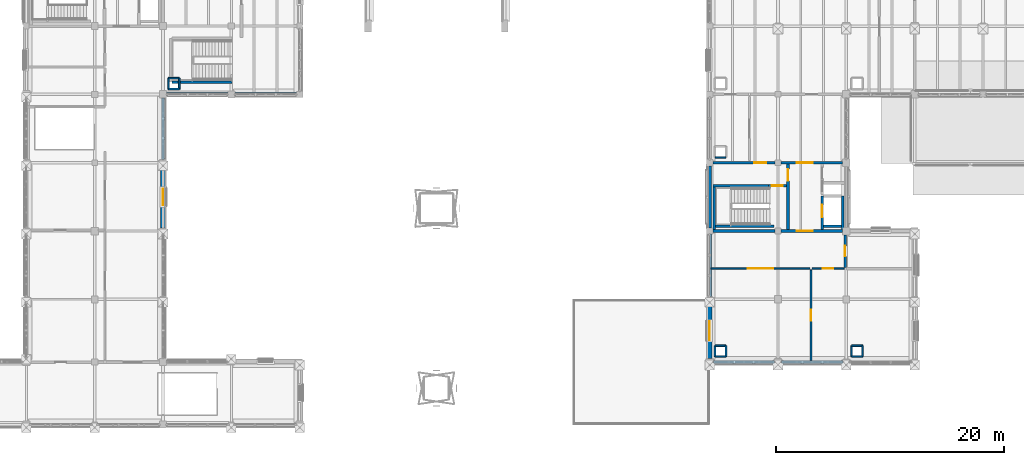
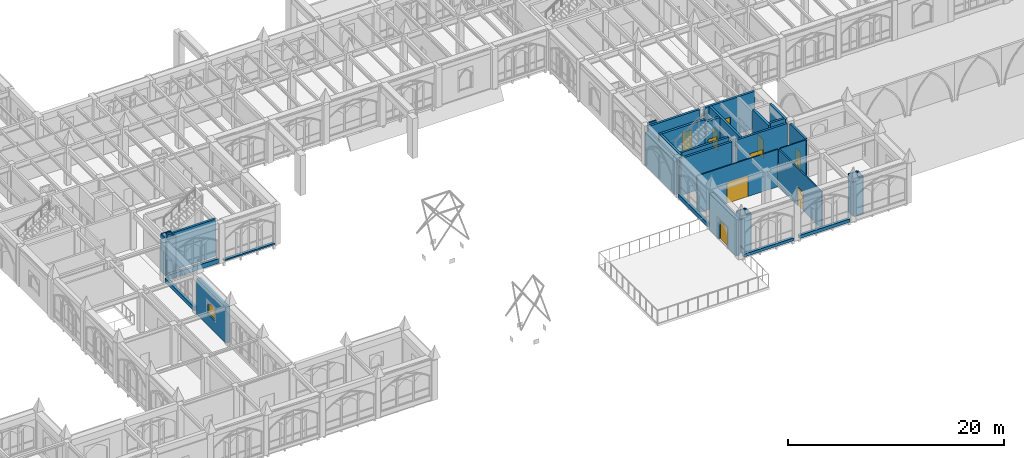
# One storey, part 106 of 143: 39 walls, 11 doors, 1 window, 12 openings.
"""IFC4 building model written with IfcOpenShell, lengths in metres."""

import ifcopenshell
import ifcopenshell.guid

model = None  # the IFC model being written
_history = None  # IfcOwnerHistory: only IFC2X3 demands one
_inside = {}  # id of a spatial element -> (the spatial element, [elements in it])
_under = {}  # id of a project, library or spatial element -> (it, [spatial elements below it])
_declared = {}  # id of a project -> (the project, [libraries it declares])
_typed = {}  # id of a type object -> (the type object, [elements of that type])
_made_of = {}  # id of a material, layer set ... -> (it, [elements and type objects made of it])


def new_model(schema):
    """Start an empty IFC model of exactly this schema.

    Asked for "IFC4X3", IfcOpenShell would pick the latest addendum, in which some entities
    have other attributes; the version numbers below select the first issue.
    IFC2X3 requires an IfcOwnerHistory on every rooted entity: one is made here for all.
    """
    global model, _history
    if schema == "IFC4X3":
        model = ifcopenshell.file(schema_version=(4, 3, 0, 0))
    else:
        model = ifcopenshell.file(schema=schema)
    _inside.clear()
    _under.clear()
    _declared.clear()
    _typed.clear()
    _made_of.clear()
    _history = None
    if model.schema == "IFC2X3":
        org = make("IfcOrganization", Name="unknown")
        user = make(
            "IfcPersonAndOrganization",
            ThePerson=make("IfcPerson", FamilyName="unknown"),
            TheOrganization=org,
        )
        app = make(
            "IfcApplication",
            ApplicationDeveloper=org,
            Version="unknown",
            ApplicationFullName="unknown",
            ApplicationIdentifier="unknown",
        )
        _history = make(
            "IfcOwnerHistory",
            OwningUser=user,
            OwningApplication=app,
            ChangeAction="ADDED",
            CreationDate=0,
        )
    return model


def make(cls, **values):
    """One entity of the class cls with the attributes given. An attribute that is None is left unset."""
    return model.create_entity(
        cls, **{name: value for name, value in values.items() if value is not None}
    )


def rooted(cls, **values):
    """An entity with a GlobalId (a new one), such as an element, a storey or a relation."""
    return make(cls, GlobalId=ifcopenshell.guid.new(), OwnerHistory=_history, **values)


def si_unit(unit_type, name, prefix=None):
    """IfcSIUnit, for example si_unit("LENGTHUNIT", "METRE", prefix="MILLI")."""
    return make("IfcSIUnit", UnitType=unit_type, Prefix=prefix, Name=name)


def assignment(units):
    """IfcUnitAssignment: the units of a project."""
    return None if units is None else make("IfcUnitAssignment", Units=units)


def point(xyz):
    """IfcCartesianPoint."""
    return None if xyz is None else make("IfcCartesianPoint", Coordinates=xyz)


def direction(xyz):
    """IfcDirection."""
    return None if xyz is None else make("IfcDirection", DirectionRatios=xyz)


def frame(location, z_axis=None, x_axis=None):
    """IfcAxis2Placement3D, a coordinate frame: its origin and axes. An axis left out is left unset."""
    return make(
        "IfcAxis2Placement3D",
        Location=point(location),
        Axis=direction(z_axis),
        RefDirection=direction(x_axis),
    )


def frame_2d(location, x_axis=None):
    """IfcAxis2Placement2D, a coordinate frame in the plane: its origin and x axis."""
    return make(
        "IfcAxis2Placement2D", Location=point(location), RefDirection=direction(x_axis)
    )


def origin():
    """The frame at (0, 0, 0) with its axes left unset."""
    return frame((0.0, 0.0, 0.0))


def place(relative_to, where):
    """IfcLocalPlacement: puts the frame where relative to a parent placement (None: the world)."""
    return make(
        "IfcLocalPlacement", PlacementRelTo=relative_to, RelativePlacement=where
    )


def context(
    kind, dimensions, precision=None, world=None, true_north=None, identifier=None
):
    """IfcGeometricRepresentationContext, for example the 3D "Model" context."""
    return make(
        "IfcGeometricRepresentationContext",
        ContextIdentifier=identifier,
        ContextType=kind,
        CoordinateSpaceDimension=dimensions,
        Precision=precision,
        WorldCoordinateSystem=world,
        TrueNorth=true_north,
    )


def subcontext(parent, identifier, kind, view, scale=None):
    """IfcGeometricRepresentationSubContext, for example "Body" below "Model"."""
    return make(
        "IfcGeometricRepresentationSubContext",
        ContextIdentifier=identifier,
        ContextType=kind,
        ParentContext=parent,
        TargetScale=scale,
        TargetView=view,
    )


def project(units=None, contexts=None):
    """IfcProject with its units and contexts."""
    return rooted(
        "IfcProject",
        Name="project",
        RepresentationContexts=contexts,
        UnitsInContext=assignment(units),
    )


def spatial(cls, under=None, at=None, **own):
    """A site, building, storey or space (cls), placed at a placement, below another one or the project."""
    s = rooted(cls, ObjectPlacement=at, **own)
    if under is not None:
        _under.setdefault(under.id(), (under, []))[1].append(s)
    return s


def profile(cls, at=None, kind="AREA", **sizes):
    """A parametric profile (cls). Its sizes go by their IFC names, for example OverallWidth=200.0."""
    return make(cls, ProfileType=kind, Position=at, **sizes)


def rectangle(**sizes):
    """IfcRectangleProfileDef."""
    return profile("IfcRectangleProfileDef", **sizes)


def extrude(swept, where, along, depth):
    """IfcExtrudedAreaSolid: the profile swept, set in the frame where, extruded along a direction by depth."""
    return make(
        "IfcExtrudedAreaSolid",
        SweptArea=swept,
        Position=where,
        ExtrudedDirection=direction(along),
        Depth=depth,
    )


def shape(context_of_items, identifier, shape_type, items):
    """IfcShapeRepresentation: the items that make up one representation, for example the "Body"."""
    return make(
        "IfcShapeRepresentation",
        ContextOfItems=context_of_items,
        RepresentationIdentifier=identifier,
        RepresentationType=shape_type,
        Items=items,
    )


def material(Name=None, Category=None):
    """IfcMaterial."""
    return make("IfcMaterial", Name=Name, Category=Category)


def layer(
    of_material, thickness, ventilated=None, Name=None, Category=None, Priority=None
):
    """IfcMaterialLayer: one layer of a wall or slab, of a material (None: an air gap)."""
    return make(
        "IfcMaterialLayer",
        Material=of_material,
        LayerThickness=thickness,
        IsVentilated=ventilated,
        Name=Name,
        Category=Category,
        Priority=Priority,
    )


def layer_set(layers, Name=None):
    """IfcMaterialLayerSet."""
    return make("IfcMaterialLayerSet", MaterialLayers=layers, LayerSetName=Name)


def made_of(thing, what):
    """Note that an element or type object is made of a material, layer set ...; save() writes the relation."""
    if what is not None:
        _made_of.setdefault(what.id(), (what, []))[1].append(thing)
    return thing


def type_object(cls, material=None, **own):
    """A type object (cls), such as IfcWallType, which elements share."""
    return made_of(rooted(cls, **own), material)


def element(
    cls,
    number,
    at=None,
    inside=None,
    cuts=None,
    type_object=None,
    material=None,
    context=None,
    identifier="Body",
    shape_type=None,
    held_by="IfcProductDefinitionShape",
    body=None,
    shapes=None,
    **own,
):
    """One element of the class cls, such as IfcWall. Its Tag is "e" and its number.

    at: its placement. inside: the storey or other place that contains it. cuts: it is an
    opening in that element (IfcRelVoidsElement). A single representation is given by context,
    identifier, shape_type and body (its items); several are given by shapes. held_by: the class
    of the entity that holds the representations. save() writes the other relations.
    """
    e = rooted(cls, Tag="e%d" % number, ObjectPlacement=at, **own)
    if body is not None:
        shapes = [shape(context, identifier, shape_type, body)]
    if shapes is not None:
        e.Representation = make(held_by, Representations=shapes)
    if inside is not None:
        _inside.setdefault(inside.id(), (inside, []))[1].append(e)
    if cuts is not None:
        rooted(
            "IfcRelVoidsElement", RelatingBuildingElement=cuts, RelatedOpeningElement=e
        )
    if type_object is not None:
        _typed.setdefault(type_object.id(), (type_object, []))[1].append(e)
    return made_of(e, material)


def fill(opening, filler):
    """IfcRelFillsElement: the door or window that sits in an opening."""
    return rooted(
        "IfcRelFillsElement",
        RelatingOpeningElement=opening,
        RelatedBuildingElement=filler,
    )


def aggregate(whole, parts):
    """IfcRelAggregates: a whole, such as a stair, and the parts it consists of."""
    return rooted("IfcRelAggregates", RelatingObject=whole, RelatedObjects=parts)


def save(model, path):
    """Write the relations noted so far, then the file.

    IfcRelAggregates (storeys below a building ...), IfcRelContainedInSpatialStructure (elements
    in a storey), IfcRelDefinesByType, IfcRelAssociatesMaterial and IfcRelDeclares: one each for
    every whole, place, type object, material and project.
    """
    for whole, parts in _under.values():
        aggregate(whole, parts)
    for where, things in _inside.values():
        rooted(
            "IfcRelContainedInSpatialStructure",
            RelatedElements=things,
            RelatingStructure=where,
        )
    for kind, things in _typed.values():
        rooted("IfcRelDefinesByType", RelatedObjects=things, RelatingType=kind)
    for what, things in _made_of.values():
        rooted("IfcRelAssociatesMaterial", RelatedObjects=things, RelatingMaterial=what)
    for by, libraries in _declared.values():
        rooted("IfcRelDeclares", RelatingContext=by, RelatedDefinitions=libraries)
    model.write(path)


model = new_model("IFC4")

# Units and contexts
model_context = context("Model", 3, precision=1e-05, world=origin(), true_north=direction((0.0, 1.0)))
body_context = subcontext(model_context, "Body", "Model", "MODEL_VIEW")
ifc_project = project(units=[si_unit("LENGTHUNIT", "METRE"), si_unit("AREAUNIT", "SQUARE_METRE"), si_unit("VOLUMEUNIT", "CUBIC_METRE"), si_unit("PLANEANGLEUNIT", "RADIAN"), si_unit("MASSUNIT", "GRAM", prefix="KILO")], contexts=[model_context])

# Site, building, storey
site_placement = place(None, origin())
site = spatial("IfcSite", under=ifc_project, at=site_placement, CompositionType="ELEMENT")
building_placement = place(site_placement, origin())
building = spatial("IfcBuilding", under=site, at=building_placement, Name="Cumevento Cable Car Station", CompositionType="ELEMENT")
storey_placement = place(building_placement, frame((0.0, 0.0, 9.0)))
storey = spatial("IfcBuildingStorey", under=building, at=storey_placement, Name="L03", CompositionType="ELEMENT", Elevation=9.0)

# Walls
ifc_material_1 = material(Name="Gnaisse Facoidal Stone Ashlar 85 MPa", Category="masonry")
ifc_layer_1 = layer(ifc_material_1, 0.294921875)
ifc_layer_set_1 = layer_set([ifc_layer_1], Name="Gnaisse Facoidal Stone Ashlar 85 MPa")
wall_type_1 = type_object("IfcWallType", Name="Exterior Envelope Wall EW-295 295", PredefinedType="SOLIDWALL", material=ifc_layer_set_1)
wall_1_placement = place(storey_placement, frame((70.0, 32.675048828125, 0.0), z_axis=(0.0, 0.0, 1.0), x_axis=(0.0, -1.0, 0.0)))
element("IfcWall", 1, at=wall_1_placement, inside=storey, type_object=wall_type_1, Name="Exterior Sill Curb Wall EW-295 L03 #208", PredefinedType="SOLIDWALL", context=body_context, shape_type="SweptSolid", body=[
    extrude(rectangle(XDim=5.375, YDim=0.294921875, at=frame_2d((2.6875, 0.0))), origin(), (0.0, 0.0, 1.0), 0.4599609375),
])
wall_2_placement = place(storey_placement, frame((75.699951171875, 33.0, 0.0), z_axis=(0.0, 0.0, 1.0), x_axis=(-1.0, 0.0, 0.0)))
element("IfcWall", 2, at=wall_2_placement, inside=storey, type_object=wall_type_1, Name="Exterior Sill Curb Wall EW-295 L03 #211", PredefinedType="SOLIDWALL", context=body_context, shape_type="SweptSolid", body=[
    extrude(rectangle(XDim=5.375, YDim=0.294921875, at=frame_2d((2.6875, 0.0))), origin(), (0.0, 0.0, 1.0), 0.52001953125),
])
wall_3_placement = place(storey_placement, frame((81.72509765625, 33.0, 0.0), z_axis=(0.0, 0.0, 1.0), x_axis=(-1.0, 0.0, 0.0)))
element("IfcWall", 3, at=wall_3_placement, inside=storey, type_object=wall_type_1, Name="Exterior Sill Curb Wall EW-295 L03 #212", PredefinedType="SOLIDWALL", context=body_context, shape_type="SweptSolid", body=[
    extrude(rectangle(XDim=5.425048828125, YDim=0.294921875, at=frame_2d((2.71240234375, 0.0))), origin(), (0.0, 0.0, 1.0), 0.159912109375),
])
wall_4_placement = place(storey_placement, frame((123.699951171875, 9.5, 0.0), z_axis=(0.0, 0.0, 1.0), x_axis=(-1.0, 0.0, 0.0)))
element("IfcWall", 4, at=wall_4_placement, inside=storey, type_object=wall_type_1, Name="Exterior Sill Curb Wall EW-295 L03 #264", PredefinedType="SOLIDWALL", context=body_context, shape_type="SweptSolid", body=[
    extrude(rectangle(XDim=5.375, YDim=0.294921875, at=frame_2d((2.6875, 0.0))), origin(), (0.0, 0.0, 1.0), 0.31005859375),
])
wall_5_placement = place(storey_placement, frame((129.72509765625, 9.5, 0.0), z_axis=(0.0, 0.0, 1.0), x_axis=(-1.0, 0.0, 0.0)))
element("IfcWall", 5, at=wall_5_placement, inside=storey, type_object=wall_type_1, Name="Exterior Sill Curb Wall EW-295 L03 #265", PredefinedType="SOLIDWALL", context=body_context, shape_type="SweptSolid", body=[
    extrude(rectangle(XDim=5.425048828125, YDim=0.294921875, at=frame_2d((2.71240234375, 0.0))), origin(), (0.0, 0.0, 1.0), 0.360107421875),
])
wall_6_placement = place(storey_placement, frame((118.0, 15.25, 0.0), z_axis=(0.0, 0.0, 1.0), x_axis=(0.0, 1.0, 0.0)))
element("IfcWall", 6, at=wall_6_placement, inside=storey, type_object=wall_type_1, Name="Exterior Sill Curb Wall EW-295 L03 #270", PredefinedType="SOLIDWALL", context=body_context, shape_type="SweptSolid", body=[
    extrude(rectangle(XDim=5.47509765625, YDim=0.294921875, at=frame_2d((2.737548828125, 0.0))), origin(), (0.0, 0.0, 1.0), 0.4599609375),
])
ifc_material_2 = material(Name="Concrete C40/50", Category="concrete")
ifc_layer_2 = layer(ifc_material_2, 0.35498046875)
ifc_layer_set_2 = layer_set([ifc_layer_2], Name="Concrete C40/50")
wall_type_2 = type_object("IfcWallType", Name="Exterior Envelope Wall EW-355 355", PredefinedType="SOLIDWALL", material=ifc_layer_set_2)
wall_7_placement = place(storey_placement, frame((118.0, 21.27490234375, 0.0), z_axis=(0.0, 0.0, 1.0), x_axis=(0.0, 1.0, 0.0)))
element("IfcWall", 7, at=wall_7_placement, inside=storey, type_object=wall_type_2, Name="Exterior Wall EW-355 L03 #272", PredefinedType="SOLIDWALL", context=body_context, shape_type="SweptSolid", body=[
    extrude(rectangle(XDim=5.4501953125, YDim=0.35498046875, at=frame_2d((2.72509765625, 0.0))), origin(), (0.0, 0.0, 1.0), 3.778076171875),
])

# Wall, opening, door
ifc_material_3 = material(Name="Gnaisse Facoidal Stone Ashlar 85 MPa", Category="masonry")
ifc_layer_3 = layer(ifc_material_3, 0.385009765625)
ifc_layer_set_3 = layer_set([ifc_layer_3], Name="Gnaisse Facoidal Stone Ashlar 85 MPa")
wall_type_3 = type_object("IfcWallType", Name="Exterior Envelope Wall EW-385 385", PredefinedType="SOLIDWALL", material=ifc_layer_set_3)
wall_8_placement = place(storey_placement, frame((118.0, 9.824951171875, 0.0), z_axis=(0.0, 0.0, 1.0), x_axis=(0.0, 1.0, 0.0)))
wall_8 = element("IfcWall", 8, at=wall_8_placement, inside=storey, type_object=wall_type_3, Name="Exterior Wall EW-385 L03 #268", PredefinedType="SOLIDWALL", context=body_context, shape_type="SweptSolid", body=[
    extrude(rectangle(XDim=4.925048828125, YDim=0.385009765625, at=frame_2d((2.46240234375, 0.0))), origin(), (0.0, 0.0, 1.0), 4.14599609375),
])
opening_1_placement = place(wall_8_placement, frame((1.60498046875, 0.0, 0.0)))
opening_1 = element("IfcOpeningElement", 9, at=opening_1_placement, cuts=wall_8, Name="Opening DR-L03-T05", PredefinedType="OPENING", context=body_context, shape_type="SweptSolid", body=[
    extrude(rectangle(XDim=1.639892578125, YDim=2.219970703125, at=frame_2d((0.81982421875, 1.10986328125))), frame((0.0, 0.202392578125, 0.0), z_axis=(0.0, -1.0, 0.0), x_axis=(1.0, 0.0, 0.0)), (0.0, 0.0, 1.0), 0.405029296875),
])
ifc_material_4 = material(Name="Anodised Bronze Aluminium & Laminated Glass", Category="aluminium")
door_type_1 = type_object("IfcDoorType", Name="Exterior Door ED-05 1640x2220", OperationType="NOTDEFINED", PredefinedType="DOOR", material=ifc_material_4)
door_1_placement = place(opening_1_placement, origin())
door_1 = element("IfcDoor", 10, at=door_1_placement, inside=storey, type_object=door_type_1, Name="East Cloister Belvedere Door T5", OperationType="DOUBLE_DOOR_SINGLE_SWING", OverallHeight=2.219970703125, OverallWidth=1.639892578125, PredefinedType="DOOR", context=body_context, shape_type="SweptSolid", body=[
    extrude(rectangle(XDim=1.639892578125, YDim=2.219970703125, at=frame_2d((0.81982421875, 1.10986328125))), frame((0.0, 0.02490234375, 0.0), z_axis=(0.0, -1.0, 0.0), x_axis=(1.0, 0.0, 0.0)), (0.0, 0.0, 1.0), 0.050048828125),
])
fill(opening_1, door_1)

# Wall, opening, window
ifc_material_5 = material(Name="Gnaisse Facoidal Stone Ashlar 85 MPa", Category="masonry")
ifc_layer_4 = layer(ifc_material_5, 0.429931640625)
ifc_layer_set_4 = layer_set([ifc_layer_4], Name="Gnaisse Facoidal Stone Ashlar 85 MPa")
wall_type_4 = type_object("IfcWallType", Name="Exterior Envelope Wall EW-430 430", PredefinedType="SOLIDWALL", material=ifc_layer_set_4)
wall_9_placement = place(storey_placement, frame((70.0, 26.699951171875, 0.0), z_axis=(0.0, 0.0, 1.0), x_axis=(0.0, -1.0, 0.0)))
wall_9 = element("IfcWall", 11, at=wall_9_placement, inside=storey, type_object=wall_type_4, Name="Exterior Wall EW-430 L03 #206", PredefinedType="SOLIDWALL", context=body_context, shape_type="SweptSolid", body=[
    extrude(rectangle(XDim=5.425048828125, YDim=0.429931640625, at=frame_2d((2.71240234375, 0.0))), origin(), (0.0, 0.0, 1.0), 4.093017578125),
])
opening_2_placement = place(wall_9_placement, frame((1.987548828125, 0.0, 1.300048828125)))
opening_2 = element("IfcOpeningElement", 12, at=opening_2_placement, cuts=wall_9, Name="Opening WN-L03-068", PredefinedType="OPENING", context=body_context, shape_type="SweptSolid", body=[
    extrude(rectangle(XDim=1.449951171875, YDim=1.449951171875, at=frame_2d((0.72509765625, 0.72509765625))), frame((0.0, 0.224853515625, 0.0), z_axis=(0.0, -1.0, 0.0), x_axis=(1.0, 0.0, 0.0)), (0.0, 0.0, 1.0), 0.449951171875),
])
ifc_material_6 = material(Name="Anodised Bronze Aluminium & Laminated Solar Glass", Category="aluminium")
window_type = type_object("IfcWindowType", Name="Lancet Window WN-20 1450x1450", PartitioningType="SINGLE_PANEL", PredefinedType="WINDOW", material=ifc_material_6)
window_placement = place(opening_2_placement, origin())
window = element("IfcWindow", 13, at=window_placement, inside=storey, type_object=window_type, Name="Lancet Window WN-L03-068 (WN-20)", OverallHeight=1.449951171875, OverallWidth=1.449951171875, PartitioningType="SINGLE_PANEL", PredefinedType="WINDOW", context=body_context, shape_type="SweptSolid", body=[
    extrude(rectangle(XDim=1.449951171875, YDim=1.449951171875, at=frame_2d((0.72509765625, 0.72509765625))), frame((0.0, 0.030029296875, 0.0), z_axis=(0.0, -1.0, 0.0), x_axis=(1.0, 0.0, 0.0)), (0.0, 0.0, 1.0), 0.06005859375),
])
fill(opening_2, window)

# Wall, opening, door
ifc_material_7 = material(Name="Concrete C40/50", Category="concrete")
ifc_layer_5 = layer(ifc_material_7, 0.219970703125)
ifc_layer_set_5 = layer_set([ifc_layer_5], Name="Concrete C40/50")
wall_type_5 = type_object("IfcWallType", Name="Interior Partition FW-220 220", PredefinedType="SOLIDWALL", material=ifc_layer_set_5)
wall_10_placement = place(storey_placement, frame((129.89990234375, 17.800048828125, 0.0), z_axis=(0.0, 0.0, 1.0), x_axis=(0.0, 1.0, 0.0)))
wall_10 = element("IfcWall", 14, at=wall_10_placement, inside=storey, type_object=wall_type_5, Name="Interior Wall FW-220 L03 #673", PredefinedType="SOLIDWALL", context=body_context, shape_type="SweptSolid", body=[
    extrude(rectangle(XDim=2.873046875, YDim=0.219970703125, at=frame_2d((1.4365234375, 0.0))), origin(), (0.0, 0.0, 1.0), 4.239990234375),
])
opening_3_placement = place(wall_10_placement, frame((0.966552734375, 0.0, 0.0)))
opening_3 = element("IfcOpeningElement", 15, at=opening_3_placement, cuts=wall_10, Name="Opening DR-L03-264", PredefinedType="OPENING", context=body_context, shape_type="SweptSolid", body=[
    extrude(rectangle(XDim=0.93994140625, YDim=2.10009765625, at=frame_2d((0.469970703125, 1.050048828125))), frame((0.0, 0.119873046875, 0.0), z_axis=(0.0, -1.0, 0.0), x_axis=(1.0, 0.0, 0.0)), (0.0, 0.0, 1.0), 0.239990234375),
])
ifc_material_8 = material(Name="Galvanised Painted Steel Fire Door", Category="steel")
door_type_2 = type_object("IfcDoorType", Name="Interior Door FD-08 940x2100", OperationType="NOTDEFINED", PredefinedType="DOOR", material=ifc_material_8)
door_2_placement = place(opening_3_placement, origin())
door_2 = element("IfcDoor", 16, at=door_2_placement, inside=storey, type_object=door_type_2, Name="Interior Door DR-L03-264 (FD-08)", OperationType="SINGLE_SWING_LEFT", OverallHeight=2.10009765625, OverallWidth=0.93994140625, PredefinedType="DOOR", context=body_context, shape_type="SweptSolid", body=[
    extrude(rectangle(XDim=0.93994140625, YDim=2.10009765625, at=frame_2d((0.469970703125, 1.050048828125))), frame((0.0, 0.02490234375, 0.0), z_axis=(0.0, -1.0, 0.0), x_axis=(1.0, 0.0, 0.0)), (0.0, 0.0, 1.0), 0.050048828125),
])
fill(opening_3, door_2)

ifc_material_9 = material(Name="Gypsum Board & Insulated Stud Partition", Category="gypsum")
ifc_layer_6 = layer(ifc_material_9, 0.114990234375)
ifc_layer_set_6 = layer_set([ifc_layer_6], Name="Gypsum Board & Insulated Stud Partition")
wall_type_6 = type_object("IfcWallType", Name="Interior Partition PT-115 115", PredefinedType="PARTITIONING", material=ifc_layer_set_6)
wall_11_placement = place(storey_placement, frame((118.1240234375, 17.699951171875, 0.0), z_axis=(0.0, 0.0, 1.0), x_axis=(1.0, 0.0, 0.0)))
wall_11 = element("IfcWall", 17, at=wall_11_placement, inside=storey, type_object=wall_type_6, Name="Interior Wall PT-115 L03 #671", PredefinedType="PARTITIONING", context=body_context, shape_type="SweptSolid", body=[
    extrude(rectangle(XDim=8.676025390625, YDim=0.114990234375, at=frame_2d((4.337890625, 0.0))), origin(), (0.0, 0.0, 1.0), 4.239990234375),
])
opening_4_placement = place(wall_11_placement, frame((3.218017578125, 0.0, 0.0)))
opening_4 = element("IfcOpeningElement", 18, at=opening_4_placement, cuts=wall_11, Name="Opening DR-L03-262", PredefinedType="OPENING", context=body_context, shape_type="SweptSolid", body=[
    extrude(rectangle(XDim=2.239990234375, YDim=2.39990234375, at=frame_2d((1.1201171875, 1.199951171875))), frame((0.0, 0.067626953125, 0.0), z_axis=(0.0, -1.0, 0.0), x_axis=(1.0, 0.0, 0.0)), (0.0, 0.0, 1.0), 0.135009765625),
])
ifc_material_10 = material(Name="Anodised Bronze Aluminium Glazed Door", Category="aluminium")
door_type_3 = type_object("IfcDoorType", Name="Interior Door ID-16 2240x2400", OperationType="NOTDEFINED", PredefinedType="DOOR", material=ifc_material_10)
door_3_placement = place(opening_4_placement, origin())
door_3 = element("IfcDoor", 19, at=door_3_placement, inside=storey, type_object=door_type_3, Name="Interior Door DR-L03-262 (ID-16)", OperationType="DOUBLE_DOOR_SINGLE_SWING", OverallHeight=2.39990234375, OverallWidth=2.239990234375, PredefinedType="DOOR", context=body_context, shape_type="SweptSolid", body=[
    extrude(rectangle(XDim=2.239990234375, YDim=2.39990234375, at=frame_2d((1.1201171875, 1.199951171875))), frame((0.0, 0.02490234375, 0.0), z_axis=(0.0, -1.0, 0.0), x_axis=(1.0, 0.0, 0.0)), (0.0, 0.0, 1.0), 0.050048828125),
])
fill(opening_4, door_3)

ifc_material_11 = material(Name="Gypsum Board & Insulated Stud Partition", Category="gypsum")
ifc_layer_7 = layer(ifc_material_11, 0.125)
ifc_layer_set_7 = layer_set([ifc_layer_7], Name="Gypsum Board & Insulated Stud Partition")
wall_type_7 = type_object("IfcWallType", Name="Interior Partition PT-125 125", PredefinedType="PARTITIONING", material=ifc_layer_set_7)
wall_12_placement = place(storey_placement, frame((127.0, 17.699951171875, 0.0), z_axis=(0.0, 0.0, 1.0), x_axis=(1.0, 0.0, 0.0)))
wall_12 = element("IfcWall", 20, at=wall_12_placement, inside=storey, type_object=wall_type_7, Name="Interior Wall PT-125 L03 #672", PredefinedType="PARTITIONING", context=body_context, shape_type="SweptSolid", body=[
    extrude(rectangle(XDim=2.800048828125, YDim=0.125, at=frame_2d((1.39990234375, 0.0))), origin(), (0.0, 0.0, 1.0), 4.239990234375),
])
opening_5_placement = place(wall_12_placement, frame((0.929931640625, 0.0, 0.0)))
opening_5 = element("IfcOpeningElement", 21, at=opening_5_placement, cuts=wall_12, Name="Opening DR-L03-263", PredefinedType="OPENING", context=body_context, shape_type="SweptSolid", body=[
    extrude(rectangle(XDim=0.93994140625, YDim=2.1201171875, at=frame_2d((0.469970703125, 1.06005859375))), frame((0.0, 0.072509765625, 0.0), z_axis=(0.0, -1.0, 0.0), x_axis=(1.0, 0.0, 0.0)), (0.0, 0.0, 1.0), 0.14501953125),
])
ifc_material_12 = material(Name="Hardwood Ipe Timber Door Leaf", Category="wood")
door_type_4 = type_object("IfcDoorType", Name="Interior Door ID-03 940x2120", OperationType="NOTDEFINED", PredefinedType="DOOR", material=ifc_material_12)
door_4_placement = place(opening_5_placement, origin())
door_4 = element("IfcDoor", 22, at=door_4_placement, inside=storey, type_object=door_type_4, Name="Interior Door DR-L03-263 (ID-03)", OperationType="SINGLE_SWING_RIGHT", OverallHeight=2.1201171875, OverallWidth=0.93994140625, PredefinedType="DOOR", context=body_context, shape_type="SweptSolid", body=[
    extrude(rectangle(XDim=0.93994140625, YDim=2.1201171875, at=frame_2d((0.469970703125, 1.06005859375))), frame((0.0, 0.02490234375, 0.0), z_axis=(0.0, -1.0, 0.0), x_axis=(1.0, 0.0, 0.0)), (0.0, 0.0, 1.0), 0.050048828125),
])
fill(opening_5, door_4)

ifc_material_13 = material(Name="Gypsum Board & Insulated Stud Partition", Category="gypsum")
ifc_layer_8 = layer(ifc_material_13, 0.135009765625)
ifc_layer_set_8 = layer_set([ifc_layer_8], Name="Gypsum Board & Insulated Stud Partition")
wall_type_8 = type_object("IfcWallType", Name="Interior Partition PT-135 135", PredefinedType="PARTITIONING", material=ifc_layer_set_8)
wall_13_placement = place(storey_placement, frame((126.89990234375, 9.617919921875, 0.0), z_axis=(0.0, 0.0, 1.0), x_axis=(0.0, 1.0, 0.0)))
wall_13 = element("IfcWall", 23, at=wall_13_placement, inside=storey, type_object=wall_type_8, Name="Interior Wall PT-135 L03 #674", PredefinedType="PARTITIONING", context=body_context, shape_type="SweptSolid", body=[
    extrude(rectangle(XDim=7.982177734375, YDim=0.135009765625, at=frame_2d((3.9912109375, 0.0))), origin(), (0.0, 0.0, 1.0), 4.239990234375),
])
opening_6_placement = place(wall_13_placement, frame((3.5009765625, 0.0, 0.0)))
opening_6 = element("IfcOpeningElement", 24, at=opening_6_placement, cuts=wall_13, Name="Opening DR-L03-265", PredefinedType="OPENING", context=body_context, shape_type="SweptSolid", body=[
    extrude(rectangle(XDim=0.97998046875, YDim=2.139892578125, at=frame_2d((0.489990234375, 1.06982421875))), frame((0.0, 0.077392578125, 0.0), z_axis=(0.0, -1.0, 0.0), x_axis=(1.0, 0.0, 0.0)), (0.0, 0.0, 1.0), 0.155029296875),
])
ifc_material_14 = material(Name="Hardwood Ipe Timber Door Leaf", Category="wood")
door_type_5 = type_object("IfcDoorType", Name="Interior Door ID-04 980x2140", OperationType="NOTDEFINED", PredefinedType="DOOR", material=ifc_material_14)
door_5_placement = place(opening_6_placement, origin())
door_5 = element("IfcDoor", 25, at=door_5_placement, inside=storey, type_object=door_type_5, Name="Interior Door DR-L03-265 (ID-04)", OperationType="SINGLE_SWING_RIGHT", OverallHeight=2.139892578125, OverallWidth=0.97998046875, PredefinedType="DOOR", context=body_context, shape_type="SweptSolid", body=[
    extrude(rectangle(XDim=0.97998046875, YDim=2.139892578125, at=frame_2d((0.489990234375, 1.06982421875))), frame((0.0, 0.02490234375, 0.0), z_axis=(0.0, -1.0, 0.0), x_axis=(1.0, 0.0, 0.0)), (0.0, 0.0, 1.0), 0.050048828125),
])
fill(opening_6, door_5)

# Walls
ifc_material_15 = material(Name="Gypsum Board & Insulated Stud Partition", Category="gypsum")
ifc_layer_9 = layer(ifc_material_15, 0.14501953125)
ifc_layer_set_9 = layer_set([ifc_layer_9], Name="Gypsum Board & Insulated Stud Partition")
wall_type_9 = type_object("IfcWallType", Name="Interior Partition PT-145 145", PredefinedType="PARTITIONING", material=ifc_layer_set_9)
for number, where, z_axis, x_axis, name in (
    (26, (70.469970703125, 33.469970703125, 0.0), (0.0, 0.0, 1.0), (1.0, 0.0, 0.0), "Interior Wall PT-145 L03 #21"),
    (27, (71.429931640625, 33.469970703125, 0.0), (0.0, 0.0, 1.0), (0.0, 1.0, 0.0), "Interior Wall PT-145 L03 #22"),
    (28, (71.429931640625, 34.429931640625, 0.0), (0.0, 0.0, 1.0), (-1.0, 0.0, 0.0), "Interior Wall PT-145 L03 #23"),
    (29, (70.469970703125, 34.429931640625, 0.0), (0.0, 0.0, 1.0), (0.0, -1.0, 0.0), "Interior Wall PT-145 L03 #24"),
):
    element("IfcWall", number, at=place(storey_placement, frame(where, z_axis=z_axis, x_axis=x_axis)), inside=storey, type_object=wall_type_9, Name=name, PredefinedType="PARTITIONING", context=body_context, shape_type="SweptSolid", body=[
        extrude(rectangle(XDim=0.9599609375, YDim=0.14501953125, at=frame_2d((0.47998046875, 0.0))), origin(), (0.0, 0.0, 1.0), 4.216064453125),
    ])
for number, where, z_axis, x_axis, name in (
    (30, (118.469970703125, 9.969970703125, 0.0), (0.0, 0.0, 1.0), (1.0, 0.0, 0.0), "Interior Wall PT-145 L03 #89"),
    (31, (119.429931640625, 9.969970703125, 0.0), (0.0, 0.0, 1.0), (0.0, 1.0, 0.0), "Interior Wall PT-145 L03 #90"),
    (32, (119.429931640625, 10.929931640625, 0.0), (0.0, 0.0, 1.0), (-1.0, 0.0, 0.0), "Interior Wall PT-145 L03 #91"),
    (33, (118.469970703125, 10.929931640625, 0.0), (0.0, 0.0, 1.0), (0.0, -1.0, 0.0), "Interior Wall PT-145 L03 #92"),
    (34, (130.469970703125, 9.969970703125, 0.0), (0.0, 0.0, 1.0), (1.0, 0.0, 0.0), "Interior Wall PT-145 L03 #93"),
    (35, (131.429931640625, 9.969970703125, 0.0), (0.0, 0.0, 1.0), (0.0, 1.0, 0.0), "Interior Wall PT-145 L03 #94"),
    (36, (131.429931640625, 10.929931640625, 0.0), (0.0, 0.0, 1.0), (-1.0, 0.0, 0.0), "Interior Wall PT-145 L03 #95"),
    (37, (130.469970703125, 10.929931640625, 0.0), (0.0, 0.0, 1.0), (0.0, -1.0, 0.0), "Interior Wall PT-145 L03 #96"),
):
    element("IfcWall", number, at=place(storey_placement, frame(where, z_axis=z_axis, x_axis=x_axis)), inside=storey, type_object=wall_type_9, Name=name, PredefinedType="PARTITIONING", context=body_context, shape_type="SweptSolid", body=[
        extrude(rectangle(XDim=0.9599609375, YDim=0.14501953125, at=frame_2d((0.47998046875, 0.0))), origin(), (0.0, 0.0, 1.0), 4.239990234375),
    ])
wall_14_placement = place(storey_placement, frame((118.469970703125, 27.469970703125, 0.0), z_axis=(0.0, 0.0, 1.0), x_axis=(1.0, 0.0, 0.0)))
element("IfcWall", 38, at=wall_14_placement, inside=storey, type_object=wall_type_9, Name="Interior Wall PT-145 L03 #97", PredefinedType="PARTITIONING", context=body_context, shape_type="SweptSolid", body=[
    extrude(rectangle(XDim=0.9599609375, YDim=0.14501953125, at=frame_2d((0.47998046875, 0.0))), origin(), (0.0, 0.0, 1.0), 4.18505859375),
])
ifc_material_16 = material(Name="Concrete C40/50", Category="concrete")
ifc_layer_10 = layer(ifc_material_16, 0.22998046875)
ifc_layer_set_10 = layer_set([ifc_layer_10], Name="Concrete C40/50")
wall_type_10 = type_object("IfcWallType", Name="Interior Shear Wall CW-230 230", PredefinedType="SHEAR", material=ifc_layer_set_10)
wall_15_placement = place(storey_placement, frame((118.27490234375, 21.0, 0.0), z_axis=(0.0, 0.0, 1.0), x_axis=(1.0, 0.0, 0.0)))
element("IfcWall", 39, at=wall_15_placement, inside=storey, type_object=wall_type_10, Name="Interior Wall CW-230 L03 #434", PredefinedType="SHEAR", context=body_context, shape_type="SweptSolid", body=[
    extrude(rectangle(XDim=5.47509765625, YDim=0.22998046875, at=frame_2d((2.737548828125, 0.0))), origin(), (0.0, 0.0, 1.0), 4.18505859375),
])

# Wall, opening, door
wall_16_placement = place(storey_placement, frame((124.25, 21.0, 0.0), z_axis=(0.0, 0.0, 1.0), x_axis=(1.0, 0.0, 0.0)))
wall_16 = element("IfcWall", 40, at=wall_16_placement, inside=storey, type_object=wall_type_10, Name="Interior Wall CW-230 L03 #435", PredefinedType="SHEAR", context=body_context, shape_type="SweptSolid", body=[
    extrude(rectangle(XDim=5.425048828125, YDim=0.22998046875, at=frame_2d((2.71240234375, 0.0))), origin(), (0.0, 0.0, 1.0), 4.18505859375),
])
opening_7_placement = place(wall_16_placement, frame((1.409912109375, 0.0, 0.0)))
opening_7 = element("IfcOpeningElement", 41, at=opening_7_placement, cuts=wall_16, Name="Opening DR-L03-138", PredefinedType="OPENING", context=body_context, shape_type="SweptSolid", body=[
    extrude(rectangle(XDim=1.3798828125, YDim=2.159912109375, at=frame_2d((0.68994140625, 1.080078125))), frame((0.0, 0.125, 0.0), z_axis=(0.0, -1.0, 0.0), x_axis=(1.0, 0.0, 0.0)), (0.0, 0.0, 1.0), 0.25),
])
ifc_material_17 = material(Name="Galvanised Painted Steel Fire Door", Category="steel")
door_type_6 = type_object("IfcDoorType", Name="Interior Door FD-04 1380x2160", OperationType="NOTDEFINED", PredefinedType="DOOR", material=ifc_material_17)
door_6_placement = place(opening_7_placement, origin())
door_6 = element("IfcDoor", 42, at=door_6_placement, inside=storey, type_object=door_type_6, Name="Core CORE5 S_lobby Fire Door L03", OperationType="DOUBLE_DOOR_SINGLE_SWING", OverallHeight=2.159912109375, OverallWidth=1.3798828125, PredefinedType="DOOR", context=body_context, shape_type="SweptSolid", body=[
    extrude(rectangle(XDim=1.3798828125, YDim=2.159912109375, at=frame_2d((0.68994140625, 1.080078125))), frame((0.0, 0.02490234375, 0.0), z_axis=(0.0, -1.0, 0.0), x_axis=(1.0, 0.0, 0.0)), (0.0, 0.0, 1.0), 0.050048828125),
])
fill(opening_7, door_6)

wall_17_placement = place(storey_placement, frame((118.27490234375, 27.0, 0.0), z_axis=(0.0, 0.0, 1.0), x_axis=(1.0, 0.0, 0.0)))
wall_17 = element("IfcWall", 43, at=wall_17_placement, inside=storey, type_object=wall_type_10, Name="Interior Wall CW-230 L03 #436", PredefinedType="SHEAR", context=body_context, shape_type="SweptSolid", body=[
    extrude(rectangle(XDim=5.47509765625, YDim=0.22998046875, at=frame_2d((2.737548828125, 0.0))), origin(), (0.0, 0.0, 1.0), 4.18505859375),
])
opening_8_placement = place(wall_17_placement, frame((3.655029296875, 0.0, 0.0)))
opening_8 = element("IfcOpeningElement", 44, at=opening_8_placement, cuts=wall_17, Name="Opening DR-L03-139", PredefinedType="OPENING", context=body_context, shape_type="SweptSolid", body=[
    extrude(rectangle(XDim=1.0400390625, YDim=2.139892578125, at=frame_2d((0.52001953125, 1.06982421875))), frame((0.0, 0.125, 0.0), z_axis=(0.0, -1.0, 0.0), x_axis=(1.0, 0.0, 0.0)), (0.0, 0.0, 1.0), 0.25),
])
ifc_material_18 = material(Name="Galvanised Painted Steel Fire Door", Category="steel")
door_type_7 = type_object("IfcDoorType", Name="Interior Door FD-02 1040x2140", OperationType="NOTDEFINED", PredefinedType="DOOR", material=ifc_material_18)
door_7_placement = place(opening_8_placement, origin())
door_7 = element("IfcDoor", 45, at=door_7_placement, inside=storey, type_object=door_type_7, Name="Core CORE5 N_vest Fire Door L03", OperationType="SINGLE_SWING_LEFT", OverallHeight=2.139892578125, OverallWidth=1.0400390625, PredefinedType="DOOR", context=body_context, shape_type="SweptSolid", body=[
    extrude(rectangle(XDim=1.0400390625, YDim=2.139892578125, at=frame_2d((0.52001953125, 1.06982421875))), frame((0.0, 0.02490234375, 0.0), z_axis=(0.0, -1.0, 0.0), x_axis=(1.0, 0.0, 0.0)), (0.0, 0.0, 1.0), 0.050048828125),
])
fill(opening_8, door_7)

wall_18_placement = place(storey_placement, frame((124.25, 27.0, 0.0), z_axis=(0.0, 0.0, 1.0), x_axis=(1.0, 0.0, 0.0)))
wall_18 = element("IfcWall", 46, at=wall_18_placement, inside=storey, type_object=wall_type_10, Name="Interior Wall CW-230 L03 #437", PredefinedType="SHEAR", context=body_context, shape_type="SweptSolid", body=[
    extrude(rectangle(XDim=5.425048828125, YDim=0.22998046875, at=frame_2d((2.71240234375, 0.0))), origin(), (0.0, 0.0, 1.0), 4.18505859375),
])
opening_9_placement = place(wall_18_placement, frame((1.409912109375, 0.0, 0.0)))
opening_9 = element("IfcOpeningElement", 47, at=opening_9_placement, cuts=wall_18, Name="Opening DR-L03-140", PredefinedType="OPENING", context=body_context, shape_type="SweptSolid", body=[
    extrude(rectangle(XDim=1.3798828125, YDim=2.159912109375, at=frame_2d((0.68994140625, 1.080078125))), frame((0.0, 0.125, 0.0), z_axis=(0.0, -1.0, 0.0), x_axis=(1.0, 0.0, 0.0)), (0.0, 0.0, 1.0), 0.25),
])
door_8_placement = place(opening_9_placement, origin())
door_8 = element("IfcDoor", 48, at=door_8_placement, inside=storey, type_object=door_type_6, Name="Core CORE5 N_lobby Fire Door L03", OperationType="DOUBLE_DOOR_SINGLE_SWING", OverallHeight=2.159912109375, OverallWidth=1.3798828125, PredefinedType="DOOR", context=body_context, shape_type="SweptSolid", body=[
    extrude(rectangle(XDim=1.3798828125, YDim=2.159912109375, at=frame_2d((0.68994140625, 1.080078125))), frame((0.0, 0.02490234375, 0.0), z_axis=(0.0, -1.0, 0.0), x_axis=(1.0, 0.0, 0.0)), (0.0, 0.0, 1.0), 0.050048828125),
])
fill(opening_9, door_8)

# Walls
wall_19_placement = place(storey_placement, frame((118.405029296875, 21.114990234375, 0.0), z_axis=(0.0, 0.0, 1.0), x_axis=(0.0, 1.0, 0.0)))
element("IfcWall", 49, at=wall_19_placement, inside=storey, type_object=wall_type_10, Name="Interior Wall CW-230 L03 #438", PredefinedType="SHEAR", context=body_context, shape_type="SweptSolid", body=[
    extrude(rectangle(XDim=3.735107421875, YDim=0.22998046875, at=frame_2d((1.86767578125, 0.0))), origin(), (0.0, 0.0, 1.0), 4.5),
])
wall_20_placement = place(storey_placement, frame((118.52001953125, 21.405029296875, 0.0), z_axis=(0.0, 0.0, 1.0), x_axis=(1.0, 0.0, 0.0)))
element("IfcWall", 50, at=wall_20_placement, inside=storey, type_object=wall_type_10, Name="Interior Wall CW-230 L03 #439", PredefinedType="SHEAR", context=body_context, shape_type="SweptSolid", body=[
    extrude(rectangle(XDim=5.1298828125, YDim=0.22998046875, at=frame_2d((2.56494140625, 0.0))), origin(), (0.0, 0.0, 1.0), 4.5),
])
wall_21_placement = place(storey_placement, frame((128.0048828125, 21.419921875, 0.0), z_axis=(0.0, 0.0, 1.0), x_axis=(1.0, 0.0, 0.0)))
element("IfcWall", 51, at=wall_21_placement, inside=storey, type_object=wall_type_10, Name="Interior Wall CW-230 L03 #444", PredefinedType="SHEAR", context=body_context, shape_type="SweptSolid", body=[
    extrude(rectangle(XDim=1.580078125, YDim=0.22998046875, at=frame_2d((0.7900390625, 0.0))), origin(), (0.0, 0.0, 1.0), 4.5),
])
wall_22_placement = place(storey_placement, frame((129.699951171875, 21.114990234375, 0.0), z_axis=(0.0, 0.0, 1.0), x_axis=(0.0, 1.0, 0.0)))
element("IfcWall", 52, at=wall_22_placement, inside=storey, type_object=wall_type_10, Name="Interior Wall CW-230 L03 #445", PredefinedType="SHEAR", context=body_context, shape_type="SweptSolid", body=[
    extrude(rectangle(XDim=2.965087890625, YDim=0.22998046875, at=frame_2d((1.482421875, 0.0))), origin(), (0.0, 0.0, 1.0), 4.5),
])
wall_23_placement = place(storey_placement, frame((70.800048828125, 34.080078125, 0.0), z_axis=(0.0, 0.0, 1.0), x_axis=(1.0, 0.0, 0.0)))
element("IfcWall", 53, at=wall_23_placement, inside=storey, type_object=wall_type_10, Name="Interior Wall CW-230 L03 #537", PredefinedType="SHEAR", context=body_context, shape_type="SweptSolid", body=[
    extrude(rectangle(XDim=5.239990234375, YDim=0.22998046875, at=frame_2d((2.6201171875, 0.0))), origin(), (0.0, 0.0, 1.0), 4.216064453125),
])
ifc_material_19 = material(Name="Concrete C40/50", Category="concrete")
ifc_layer_11 = layer(ifc_material_19, 0.25)
ifc_layer_set_11 = layer_set([ifc_layer_11], Name="Concrete C40/50")
wall_type_11 = type_object("IfcWallType", Name="Interior Shear Wall CW-250 250", PredefinedType="SHEAR", material=ifc_layer_set_11)
wall_24_placement = place(storey_placement, frame((118.2900390625, 24.97509765625, 0.0), z_axis=(0.0, 0.0, 1.0), x_axis=(1.0, 0.0, 0.0)))
element("IfcWall", 54, at=wall_24_placement, inside=storey, type_object=wall_type_11, Name="Interior Wall CW-250 L03 #440", PredefinedType="SHEAR", context=body_context, shape_type="SweptSolid", body=[
    extrude(rectangle(XDim=4.869873046875, YDim=0.25, at=frame_2d((2.43505859375, 0.0))), origin(), (0.0, 0.0, 1.0), 4.5),
])

# Wall, opening, door
wall_25_placement = place(storey_placement, frame((123.159912109375, 24.97509765625, 0.0), z_axis=(0.0, 0.0, 1.0), x_axis=(1.0, 0.0, 0.0)))
wall_25 = element("IfcWall", 55, at=wall_25_placement, inside=storey, type_object=wall_type_11, Name="Interior Wall CW-250 L03 #441", PredefinedType="SHEAR", context=body_context, shape_type="SweptSolid", body=[
    extrude(rectangle(XDim=1.580078125, YDim=0.25, at=frame_2d((0.7900390625, 0.0))), origin(), (0.0, 0.0, 1.0), 4.18505859375),
])
opening_10_placement = place(wall_25_placement, frame((0.31005859375, 0.0, 0.0)))
opening_10 = element("IfcOpeningElement", 56, at=opening_10_placement, cuts=wall_25, Name="Opening DR-L03-141", PredefinedType="OPENING", context=body_context, shape_type="SweptSolid", body=[
    extrude(rectangle(XDim=0.9599609375, YDim=2.1201171875, at=frame_2d((0.47998046875, 1.06005859375))), frame((0.0, 0.135009765625, 0.0), z_axis=(0.0, -1.0, 0.0), x_axis=(1.0, 0.0, 0.0)), (0.0, 0.0, 1.0), 0.27001953125),
])
ifc_material_20 = material(Name="Galvanised Painted Steel Fire Door", Category="steel")
door_type_8 = type_object("IfcDoorType", Name="Interior Door FD-01 960x2120", OperationType="NOTDEFINED", PredefinedType="DOOR", material=ifc_material_20)
door_9_placement = place(opening_10_placement, origin())
door_9 = element("IfcDoor", 57, at=door_9_placement, inside=storey, type_object=door_type_8, Name="Stair ST-05 Enclosure Door L03", OperationType="SINGLE_SWING_RIGHT", OverallHeight=2.1201171875, OverallWidth=0.9599609375, PredefinedType="DOOR", context=body_context, shape_type="SweptSolid", body=[
    extrude(rectangle(XDim=0.9599609375, YDim=2.1201171875, at=frame_2d((0.47998046875, 1.06005859375))), frame((0.0, 0.02490234375, 0.0), z_axis=(0.0, -1.0, 0.0), x_axis=(1.0, 0.0, 0.0)), (0.0, 0.0, 1.0), 0.050048828125),
])
fill(opening_10, door_9)

wall_26_placement = place(storey_placement, frame((124.864990234375, 21.114990234375, 0.0), z_axis=(0.0, 0.0, 1.0), x_axis=(0.0, 1.0, 0.0)))
wall_26 = element("IfcWall", 58, at=wall_26_placement, inside=storey, type_object=wall_type_11, Name="Interior Wall CW-250 L03 #442", PredefinedType="SHEAR", context=body_context, shape_type="SweptSolid", body=[
    extrude(rectangle(XDim=5.77001953125, YDim=0.25, at=frame_2d((2.885009765625, 0.0))), origin(), (0.0, 0.0, 1.0), 4.18505859375),
])
opening_11_placement = place(wall_26_placement, frame((4.284912109375, 0.0, 0.0)))
opening_11 = element("IfcOpeningElement", 59, at=opening_11_placement, cuts=wall_26, Name="Opening DR-L03-142", PredefinedType="OPENING", context=body_context, shape_type="SweptSolid", body=[
    extrude(rectangle(XDim=1.0400390625, YDim=2.139892578125, at=frame_2d((0.52001953125, 1.06982421875))), frame((0.0, 0.135009765625, 0.0), z_axis=(0.0, -1.0, 0.0), x_axis=(1.0, 0.0, 0.0)), (0.0, 0.0, 1.0), 0.27001953125),
])
door_10_placement = place(opening_11_placement, origin())
door_10 = element("IfcDoor", 60, at=door_10_placement, inside=storey, type_object=door_type_7, Name="Lobby Vestibule Door CORE5 L03", OperationType="SINGLE_SWING_LEFT", OverallHeight=2.139892578125, OverallWidth=1.0400390625, PredefinedType="DOOR", context=body_context, shape_type="SweptSolid", body=[
    extrude(rectangle(XDim=1.0400390625, YDim=2.139892578125, at=frame_2d((0.52001953125, 1.06982421875))), frame((0.0, 0.02490234375, 0.0), z_axis=(0.0, -1.0, 0.0), x_axis=(1.0, 0.0, 0.0)), (0.0, 0.0, 1.0), 0.050048828125),
])
fill(opening_11, door_10)

wall_27_placement = place(storey_placement, frame((127.8798828125, 21.114990234375, 0.0), z_axis=(0.0, 0.0, 1.0), x_axis=(0.0, 1.0, 0.0)))
wall_27 = element("IfcWall", 61, at=wall_27_placement, inside=storey, type_object=wall_type_11, Name="Interior Wall CW-250 L03 #443", PredefinedType="SHEAR", context=body_context, shape_type="SweptSolid", body=[
    extrude(rectangle(XDim=2.965087890625, YDim=0.25, at=frame_2d((1.482421875, 0.0))), origin(), (0.0, 0.0, 1.0), 4.5),
])
opening_12_placement = place(wall_27_placement, frame((1.094970703125, 0.0, 0.0)))
opening_12 = element("IfcOpeningElement", 62, at=opening_12_placement, cuts=wall_27, Name="Opening LD-LF05-L03", PredefinedType="OPENING", context=body_context, shape_type="SweptSolid", body=[
    extrude(rectangle(XDim=1.080078125, YDim=2.14990234375, at=frame_2d((0.5400390625, 1.074951171875))), frame((0.0, 0.135009765625, 0.0), z_axis=(0.0, -1.0, 0.0), x_axis=(1.0, 0.0, 0.0)), (0.0, 0.0, 1.0), 0.27001953125),
])
ifc_material_21 = material(Name="Brushed Stainless Steel Lift Door", Category="steel")
door_type_9 = type_object("IfcDoorType", Name="Interior Door LD-01 1080x2150", OperationType="NOTDEFINED", PredefinedType="DOOR", material=ifc_material_21)
door_11_placement = place(opening_12_placement, origin())
door_11 = element("IfcDoor", 63, at=door_11_placement, inside=storey, type_object=door_type_9, Name="Lift Landing Door LD-LF05-L03", OperationType="DOUBLE_DOOR_SLIDING", OverallHeight=2.14990234375, OverallWidth=1.080078125, PredefinedType="DOOR", context=body_context, shape_type="SweptSolid", body=[
    extrude(rectangle(XDim=1.080078125, YDim=2.14990234375, at=frame_2d((0.5400390625, 1.074951171875))), frame((0.0, 0.02490234375, 0.0), z_axis=(0.0, -1.0, 0.0), x_axis=(1.0, 0.0, 0.0)), (0.0, 0.0, 1.0), 0.050048828125),
])
fill(opening_12, door_11)

save(model, "model.ifc")
